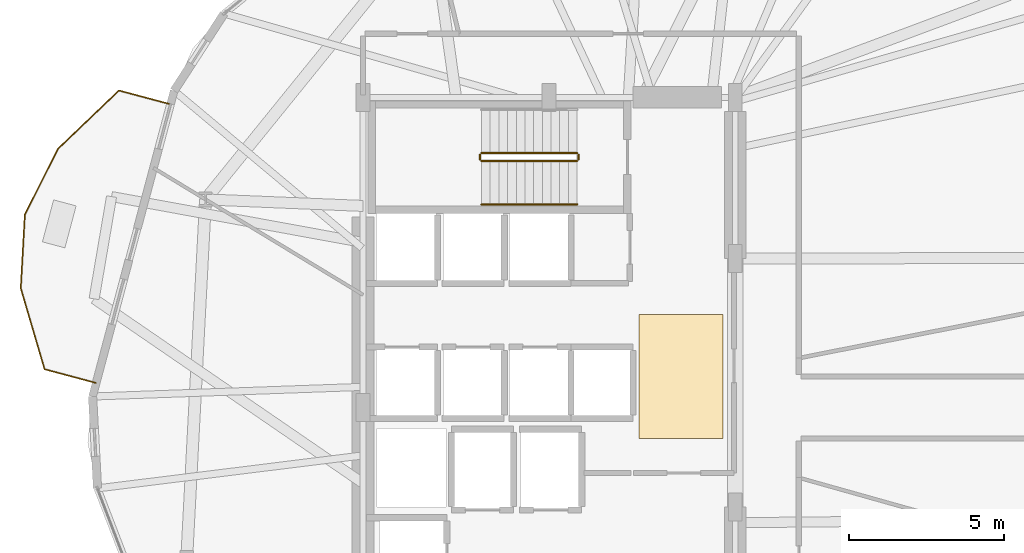
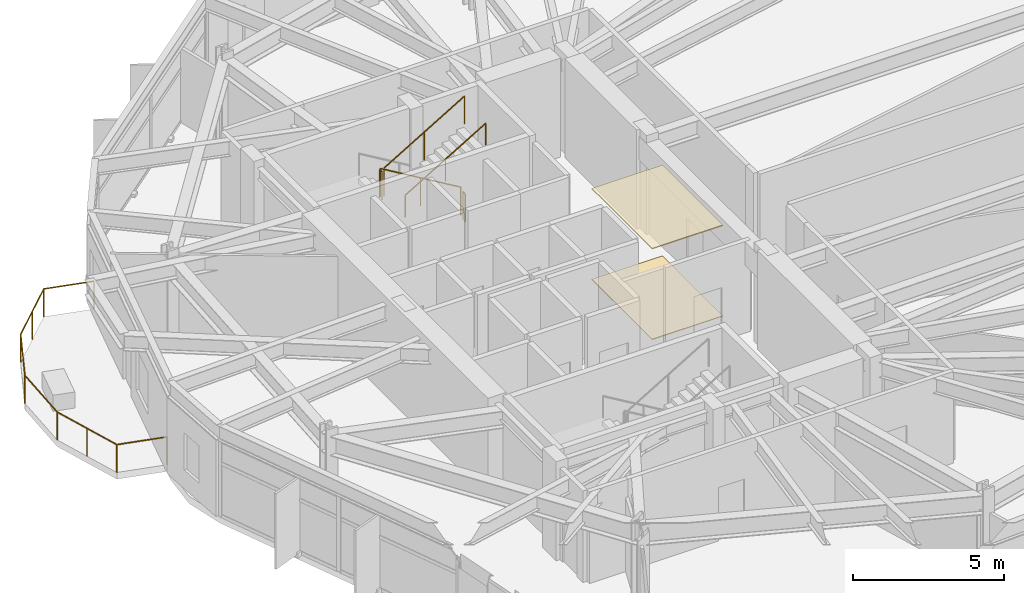
# One storey, part 22 of 23: 6 railings, 2 coverings.
"""IFC4 building model written with IfcOpenShell, lengths in metres."""

from ifc_helpers import new_model, si_unit, direction, frame, origin, origin_2d, place, context, subcontext, project, spatial, polyline, circle, outline, extrude, material, layer, layer_set, type_object, element, save


model = new_model("IFC4")

# Units and contexts
model_context = context("Model", 3, precision=1e-05, world=origin(), true_north=direction((0.0, 1.0)))
body_context = subcontext(model_context, "Body", "Model", "MODEL_VIEW")
ifc_project = project(units=[si_unit("LENGTHUNIT", "METRE"), si_unit("AREAUNIT", "SQUARE_METRE"), si_unit("VOLUMEUNIT", "CUBIC_METRE"), si_unit("PLANEANGLEUNIT", "RADIAN"), si_unit("MASSUNIT", "GRAM", prefix="KILO")], contexts=[model_context])

# Site, building, storey
site_placement = place(None, origin())
site = spatial("IfcSite", under=ifc_project, at=site_placement, CompositionType="ELEMENT")
building_placement = place(site_placement, origin())
building = spatial("IfcBuilding", under=site, at=building_placement, Name="Soratama Intermodal Tower", CompositionType="ELEMENT")
storey_placement = place(building_placement, frame((0.0, 0.0, 38.60009765625)))
storey = spatial("IfcBuildingStorey", under=building, at=storey_placement, Name="L08", CompositionType="ELEMENT", Elevation=38.60009765625)

# Coverings
ifc_material_1 = material(Name="Perforated mineral acoustic ceiling", Category="concrete")
ifc_layer_1 = layer(ifc_material_1, 0.0400390625)
ifc_layer_set_1 = layer_set([ifc_layer_1], Name="Perforated mineral acoustic ceiling")
covering_type_1 = type_object("IfcCoveringType", Name="CV-CEIL-ACOUSTIC", PredefinedType="CEILING", material=ifc_layer_set_1)
covering_1_placement = place(storey_placement, frame((0.0, 0.0, 3.659912109375)))
element("IfcCovering", 1, at=covering_1_placement, inside=storey, type_object=covering_type_1, Name="L08 Acoustic Ceiling", PredefinedType="CEILING", context=body_context, shape_type="SweptSolid", body=[
    extrude(outline(polyline([(41.5, 24.0), (44.199951171875, 24.0), (44.199951171875, 28.0), (41.5, 28.0), (41.5, 24.0)])), origin(), (0.0, 0.0, 1.0), 0.0400390625),
])
ifc_material_2 = material(Name="Polished Andean stone terrazzo flooring", Category="masonry")
ifc_layer_2 = layer(ifc_material_2, 0.030029296875)
ifc_layer_set_2 = layer_set([ifc_layer_2], Name="Polished Andean stone terrazzo flooring")
covering_type_2 = type_object("IfcCoveringType", Name="CV-FLOR-TERRAZZO", PredefinedType="FLOORING", material=ifc_layer_set_2)
covering_2_placement = place(storey_placement, origin())
element("IfcCovering", 2, at=covering_2_placement, inside=storey, type_object=covering_type_2, Name="L08 Lobby Terrazzo Flooring", PredefinedType="FLOORING", context=body_context, shape_type="SweptSolid", body=[
    extrude(outline(polyline([(41.5, 24.0), (44.199951171875, 24.0), (44.199951171875, 28.0), (41.5, 28.0), (41.5, 24.0)])), origin(), (0.0, 0.0, 1.0), 0.02978515625),
])

# Railings
ifc_material_3 = material(Name="Laminated glass and stainless steel balustrade", Category="steel")
railing_type_1 = type_object("IfcRailingType", Name="RL-BAL-1150", PredefinedType="BALUSTRADE", material=ifc_material_3)
railing_1_placement = place(storey_placement, frame((23.995849609375, 25.791259765625, 0.0)))
element("IfcRailing", 3, at=railing_1_placement, inside=storey, type_object=railing_type_1, Name="L08 Balcony Balustrade 3", PredefinedType="BALUSTRADE", context=body_context, shape_type="SweptSolid", body=[
    extrude(circle(Radius=0.02392578125, at=origin_2d()), frame((0.0, 0.0, 1.1259765625), z_axis=(-0.966206662961, 0.257768664601, 0.0), x_axis=(-0.257768664601, -0.966206662961, 0.0)), (0.0, 0.0, 1.0), 1.719970703125),
    extrude(circle(Radius=0.02392578125, at=origin_2d()), frame((-1.661865234375, 0.443359375, 1.1259765625), z_axis=(-0.282069207997, 0.959394059759, 0.0), x_axis=(-0.959394059759, -0.282069207997, 0.0)), (0.0, 0.0, 1.0), 2.72216796875),
    extrude(circle(Radius=0.02392578125, at=origin_2d()), frame((-2.4296875, 3.054931640625, 1.1259765625), z_axis=(0.055196761553, 0.998475496702, 0.0), x_axis=(-0.998475496702, 0.055196761553, 0.0)), (0.0, 0.0, 1.0), 2.375244140625),
    extrude(circle(Radius=0.02392578125, at=origin_2d()), frame((-2.298583984375, 5.426513671875, 1.1259765625), z_axis=(0.449555422217, 0.893252440442, 0.0), x_axis=(-0.893252440442, 0.449555422217, 0.0)), (0.0, 0.0, 1.0), 2.37548828125),
    extrude(circle(Radius=0.02392578125, at=origin_2d()), frame((-1.230712890625, 7.54833984375, 1.1259765625), z_axis=(0.722540561073, 0.691328530877, 0.0), x_axis=(-0.691328530877, 0.722540561073, 0.0)), (0.0, 0.0, 1.0), 2.72216796875),
    extrude(circle(Radius=0.02392578125, at=origin_2d()), frame((0.736083984375, 9.43017578125, 1.1259765625), z_axis=(0.966171303133, -0.25790116906, 0.0), x_axis=(0.25790116906, 0.966171303133, 0.0)), (0.0, 0.0, 1.0), 1.719970703125),
    extrude(circle(Radius=0.02099609375, at=origin_2d()), origin(), (0.0, 0.0, 1.0), 1.101806640625),
    extrude(circle(Radius=0.02099609375, at=origin_2d()), frame((-1.661865234375, 0.443359375, 0.0)), (0.0, 0.0, 1.0), 1.101806640625),
    extrude(circle(Radius=0.02099609375, at=origin_2d()), frame((-2.0458984375, 1.7490234375, 0.0)), (0.0, 0.0, 1.0), 1.101806640625),
    extrude(circle(Radius=0.02099609375, at=origin_2d()), frame((-2.4296875, 3.054931640625, 0.0)), (0.0, 0.0, 1.0), 1.101806640625),
    extrude(circle(Radius=0.02099609375, at=origin_2d()), frame((-2.298583984375, 5.426513671875, 0.0)), (0.0, 0.0, 1.0), 1.101806640625),
    extrude(circle(Radius=0.02099609375, at=origin_2d()), frame((-1.230712890625, 7.54833984375, 0.0)), (0.0, 0.0, 1.0), 1.101806640625),
    extrude(circle(Radius=0.02099609375, at=origin_2d()), frame((-0.247314453125, 8.4892578125, 0.0)), (0.0, 0.0, 1.0), 1.101806640625),
    extrude(circle(Radius=0.02099609375, at=origin_2d()), frame((0.736083984375, 9.43017578125, 0.0)), (0.0, 0.0, 1.0), 1.101806640625),
    extrude(circle(Radius=0.02099609375, at=origin_2d()), frame((2.39794921875, 8.986572265625, 0.0)), (0.0, 0.0, 1.0), 1.101806640625),
])
ifc_material_4 = material(Name="Painted steel stair guardrail", Category="steel")
railing_type_2 = type_object("IfcRailingType", Name="RL-STAIR-GUARD", PredefinedType="GUARDRAIL", material=ifc_material_4)
railing_2_placement = place(storey_placement, frame((39.5, 33.199951171875, 0.16650390625)))
element("IfcRailing", 4, at=railing_2_placement, inside=storey, type_object=railing_type_2, Name="L08 ST-2 stair guard 1", PredefinedType="GUARDRAIL", context=body_context, shape_type="SweptSolid", body=[
    extrude(circle(Radius=0.02392578125, at=origin_2d()), frame((0.0, 0.0, 1.1259765625), z_axis=(-0.85927862911, 0.0, 0.511507807912), x_axis=(0.0, -1.0, 0.0)), (0.0, 0.0, 1.0), 3.58447265625),
    extrude(circle(Radius=0.02099609375, at=origin_2d()), origin(), (0.0, 0.0, 1.0), 1.101806640625),
    extrude(circle(Radius=0.02099609375, at=origin_2d()), frame((-1.5400390625, 0.0, 0.916748046875)), (0.0, 0.0, 1.0), 1.101806640625),
    extrude(circle(Radius=0.02099609375, at=origin_2d()), frame((-3.080078125, 0.0, 1.83349609375)), (0.0, 0.0, 1.0), 1.101806640625),
])
railing_3_placement = place(storey_placement, frame((36.3701171875, 33.14990234375, 2.0)))
element("IfcRailing", 5, at=railing_3_placement, inside=storey, type_object=railing_type_2, Name="L08 ST-2 stair guard 2", PredefinedType="GUARDRAIL", context=body_context, shape_type="SweptSolid", body=[
    extrude(circle(Radius=0.02392578125, at=origin_2d()), frame((0.0, 0.0, 1.1259765625), z_axis=(0.0, -1.0, 0.0), x_axis=(1.0, 0.0, 0.0)), (0.0, 0.0, 1.0), 0.14990234375),
    extrude(circle(Radius=0.02099609375, at=origin_2d()), origin(), (0.0, 0.0, 1.0), 1.101806640625),
    extrude(circle(Radius=0.02099609375, at=origin_2d()), frame((0.0, -0.14990234375, 0.0)), (0.0, 0.0, 1.0), 1.101806640625),
])
railing_4_placement = place(storey_placement, frame((36.419921875, 32.949951171875, 2.16650390625)))
element("IfcRailing", 6, at=railing_4_placement, inside=storey, type_object=railing_type_2, Name="L08 ST-2 stair guard 3", PredefinedType="GUARDRAIL", context=body_context, shape_type="SweptSolid", body=[
    extrude(circle(Radius=0.02392578125, at=origin_2d()), frame((0.0, 0.0, 1.1259765625), z_axis=(0.85927862911, 0.0, 0.511507807912), x_axis=(0.0, 1.0, 0.0)), (0.0, 0.0, 1.0), 3.58447265625),
    extrude(circle(Radius=0.02099609375, at=origin_2d()), origin(), (0.0, 0.0, 1.0), 1.101806640625),
    extrude(circle(Radius=0.02099609375, at=origin_2d()), frame((1.5400390625, 0.0, 0.916748046875)), (0.0, 0.0, 1.0), 1.101806640625),
    extrude(circle(Radius=0.02099609375, at=origin_2d()), frame((3.080078125, 0.0, 1.83349609375)), (0.0, 0.0, 1.0), 1.101806640625),
])
railing_5_placement = place(storey_placement, frame((39.550048828125, 33.14990234375, 0.0)))
element("IfcRailing", 7, at=railing_5_placement, inside=storey, type_object=railing_type_2, Name="L08 ST-2 stair guard 4", PredefinedType="GUARDRAIL", context=body_context, shape_type="SweptSolid", body=[
    extrude(circle(Radius=0.02392578125, at=origin_2d()), frame((0.0, 0.0, 1.1259765625), z_axis=(0.0, -1.0, 0.0), x_axis=(1.0, 0.0, 0.0)), (0.0, 0.0, 1.0), 0.14990234375),
    extrude(circle(Radius=0.02099609375, at=origin_2d()), origin(), (0.0, 0.0, 1.0), 1.101806640625),
    extrude(circle(Radius=0.02099609375, at=origin_2d()), frame((0.0, -0.14990234375, 0.0)), (0.0, 0.0, 1.0), 1.101806640625),
])
ifc_material_5 = material(Name="Brushed stainless steel handrail", Category="steel")
railing_type_3 = type_object("IfcRailingType", Name="RL-STAIR-HAND", PredefinedType="HANDRAIL", material=ifc_material_5)
railing_6_placement = place(storey_placement, frame((36.419921875, 31.550048828125, 2.16650390625)))
element("IfcRailing", 8, at=railing_6_placement, inside=storey, type_object=railing_type_3, Name="L08 ST-2 stair handrail 2", PredefinedType="HANDRAIL", context=body_context, shape_type="SweptSolid", body=[
    extrude(circle(Radius=0.02392578125, at=origin_2d()), frame((0.0, 0.0, 0.8759765625), z_axis=(0.85927862911, 0.0, 0.511507807912), x_axis=(0.0, 1.0, 0.0)), (0.0, 0.0, 1.0), 3.58447265625),
    extrude(circle(Radius=0.02099609375, at=origin_2d()), origin(), (0.0, 0.0, 1.0), 0.851806640625),
    extrude(circle(Radius=0.02099609375, at=origin_2d()), frame((1.5400390625, 0.0, 0.916748046875)), (0.0, 0.0, 1.0), 0.851806640625),
    extrude(circle(Radius=0.02099609375, at=origin_2d()), frame((3.080078125, 0.0, 1.83349609375)), (0.0, 0.0, 1.0), 0.851806640625),
])

save(model, "model.ifc")
